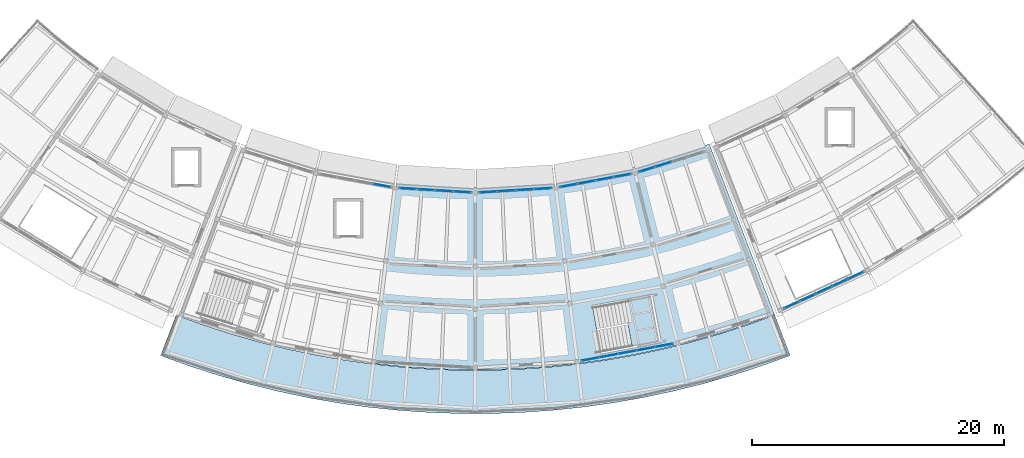
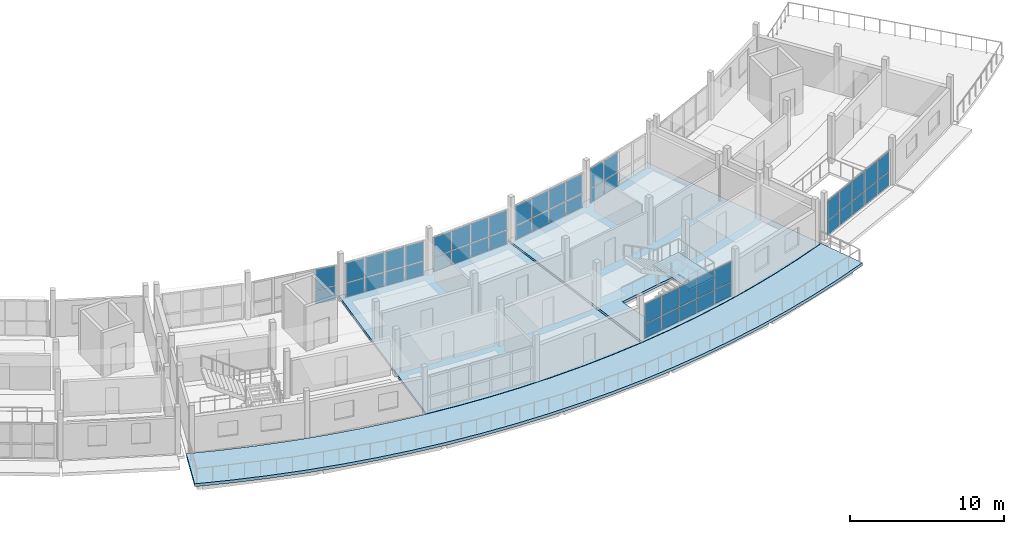
# One storey, part 15 of 24: 50 plates, 4 slabs, 8 elements without a shape of their own.
"""IFC4 building model written with IfcOpenShell, lengths in metres."""

from ifc_helpers import new_model, si_unit, direction, frame, origin, origin_2d, place, context, subcontext, project, spatial, polyline, rectangle, outline, extrude, material, layer, layer_set, type_object, element, aggregate, save


model = new_model("IFC4")

# Units and contexts
model_context = context("Model", 3, precision=1e-05, world=origin(), true_north=direction((0.0, 1.0)))
body_context = subcontext(model_context, "Body", "Model", "MODEL_VIEW")
ifc_project = project(units=[si_unit("LENGTHUNIT", "METRE"), si_unit("AREAUNIT", "SQUARE_METRE"), si_unit("VOLUMEUNIT", "CUBIC_METRE"), si_unit("PLANEANGLEUNIT", "RADIAN"), si_unit("MASSUNIT", "GRAM", prefix="KILO")], contexts=[model_context])

# Site, building, storey
site_placement = place(None, origin())
site = spatial("IfcSite", under=ifc_project, at=site_placement, CompositionType="ELEMENT")
building_placement = place(site_placement, origin())
building = spatial("IfcBuilding", under=site, at=building_placement, Name="Caldaven Crescent School", CompositionType="ELEMENT")
storey_placement = place(building_placement, frame((0.0, 0.0, 15.639892578125)))
storey = spatial("IfcBuildingStorey", under=building, at=storey_placement, Name="L04", CompositionType="ELEMENT", Elevation=15.639892578125)

# Curtain wall, plates
ifc_material_1 = material(Name="Anodised aluminium AA 6063-T6 and low-E double glazing", Category="aluminium")
ifc_layer_1 = layer(ifc_material_1, 0.22998046875)
ifc_layer_set_1 = layer_set([ifc_layer_1], Name="Anodised aluminium AA 6063-T6 and low-E double glazing")
curtain_wall_type_1 = type_object("IfcCurtainWallType", Name="CW-SYS4", PredefinedType="NOTDEFINED", material=ifc_layer_set_1)
curtain_wall_1_placement = place(storey_placement, origin())
curtain_wall_1 = element("IfcCurtainWall", 1, at=curtain_wall_1_placement, inside=storey, type_object=curtain_wall_type_1, Name="CW-L04-170", PredefinedType="NOTDEFINED")
ifc_material_2 = material(Name="Tempered low-E double glazing IGU", Category="glass")
ifc_layer_2 = layer(ifc_material_2, 0.030029296875)
ifc_layer_set_2 = layer_set([ifc_layer_2], Name="Tempered low-E double glazing IGU")
plate_type_1 = type_object("IfcPlateType", Name="PLT-CWP03", PredefinedType="CURTAIN_PANEL", material=ifc_layer_set_2)
plate_1_placement = place(storey_placement, frame((80.583740234375, 44.130859375, 0.06005859375), z_axis=(0.0, 0.0, 1.0), x_axis=(0.983254744401, -0.182236405836, 0.0)))
plate_1 = element("IfcPlate", 2, at=plate_1_placement, type_object=plate_type_1, Name="CW4 panel 4.1", PredefinedType="CURTAIN_PANEL", context=body_context, shape_type="SweptSolid", body=[
    extrude(rectangle(XDim=1.353515625, YDim=0.030029296875, at=origin_2d()), origin(), (0.0, 0.0, 1.0), 1.093994140625),
])
plate_2_placement = place(storey_placement, frame((80.583740234375, 44.130859375, 1.214111328125), z_axis=(0.0, 0.0, 1.0), x_axis=(0.983254744401, -0.182236405836, 0.0)))
plate_2 = element("IfcPlate", 3, at=plate_2_placement, type_object=plate_type_1, Name="CW4 panel 4.2", PredefinedType="CURTAIN_PANEL", context=body_context, shape_type="SweptSolid", body=[
    extrude(rectangle(XDim=1.353515625, YDim=0.030029296875, at=origin_2d()), origin(), (0.0, 0.0, 1.0), 1.5458984375),
])
aggregate(curtain_wall_1, [plate_1, plate_2])

ifc_layer_3 = layer(ifc_material_1, 0.169921875)
ifc_layer_set_3 = layer_set([ifc_layer_3], Name="Anodised aluminium AA 6063-T6 and low-E double glazing")
curtain_wall_type_2 = type_object("IfcCurtainWallType", Name="CW-SYS1", PredefinedType="NOTDEFINED", material=ifc_layer_set_3)
curtain_wall_2_placement = place(storey_placement, origin())
curtain_wall_2 = element("IfcCurtainWall", 4, at=curtain_wall_2_placement, inside=storey, type_object=curtain_wall_type_2, Name="CW-L04-171", PredefinedType="NOTDEFINED")
ifc_layer_4 = layer(ifc_material_2, 0.031982421875)
ifc_layer_set_4 = layer_set([ifc_layer_4], Name="Tempered low-E double glazing IGU")
plate_type_2 = type_object("IfcPlateType", Name="PLT-CWP04", PredefinedType="CURTAIN_PANEL", material=ifc_layer_set_4)
plate_3_placement = place(storey_placement, frame((82.64892578125, 43.877197265625, 0.065185546875), z_axis=(0.0, 0.0, 1.0), x_axis=(0.998134750717, -0.061049319496, 0.0)))
plate_3 = element("IfcPlate", 5, at=plate_3_placement, type_object=plate_type_2, Name="CW1 panel 1.1", PredefinedType="CURTAIN_PANEL", context=body_context, shape_type="SweptSolid", body=[
    extrude(rectangle(XDim=1.345947265625, YDim=0.031982421875, at=origin_2d()), origin(), (0.0, 0.0, 1.0), 1.08642578125),
])
plate_4_placement = place(storey_placement, frame((82.64892578125, 43.877197265625, 1.216552734375), z_axis=(0.0, 0.0, 1.0), x_axis=(0.998134750717, -0.061049319496, 0.0)))
plate_4 = element("IfcPlate", 6, at=plate_4_placement, type_object=plate_type_2, Name="CW1 panel 1.2", PredefinedType="CURTAIN_PANEL", context=body_context, shape_type="SweptSolid", body=[
    extrude(rectangle(XDim=1.345947265625, YDim=0.031982421875, at=origin_2d()), origin(), (0.0, 0.0, 1.0), 1.53857421875),
])
plate_5_placement = place(storey_placement, frame((84.079833984375, 43.789794921875, 0.065185546875), z_axis=(0.0, 0.0, 1.0), x_axis=(0.998134750717, -0.061049319496, 0.0)))
plate_5 = element("IfcPlate", 7, at=plate_5_placement, type_object=plate_type_2, Name="CW1 panel 2.1", PredefinedType="CURTAIN_PANEL", context=body_context, shape_type="SweptSolid", body=[
    extrude(rectangle(XDim=1.381103515625, YDim=0.031982421875, at=origin_2d()), origin(), (0.0, 0.0, 1.0), 1.08642578125),
])
plate_6_placement = place(storey_placement, frame((84.079833984375, 43.789794921875, 1.216552734375), z_axis=(0.0, 0.0, 1.0), x_axis=(0.998134750717, -0.061049319496, 0.0)))
plate_6 = element("IfcPlate", 8, at=plate_6_placement, type_object=plate_type_2, Name="CW1 panel 2.2", PredefinedType="CURTAIN_PANEL", context=body_context, shape_type="SweptSolid", body=[
    extrude(rectangle(XDim=1.381103515625, YDim=0.031982421875, at=origin_2d()), origin(), (0.0, 0.0, 1.0), 1.53857421875),
])
plate_7_placement = place(storey_placement, frame((85.528076171875, 43.701171875, 0.065185546875), z_axis=(0.0, 0.0, 1.0), x_axis=(0.998134750717, -0.061049319496, 0.0)))
plate_7 = element("IfcPlate", 9, at=plate_7_placement, type_object=plate_type_2, Name="CW1 panel 3.1", PredefinedType="CURTAIN_PANEL", context=body_context, shape_type="SweptSolid", body=[
    extrude(rectangle(XDim=1.381103515625, YDim=0.031982421875, at=origin_2d()), origin(), (0.0, 0.0, 1.0), 1.08642578125),
])
plate_8_placement = place(storey_placement, frame((85.528076171875, 43.701171875, 1.216552734375), z_axis=(0.0, 0.0, 1.0), x_axis=(0.998134750717, -0.061049319496, 0.0)))
plate_8 = element("IfcPlate", 10, at=plate_8_placement, type_object=plate_type_2, Name="CW1 panel 3.2", PredefinedType="CURTAIN_PANEL", context=body_context, shape_type="SweptSolid", body=[
    extrude(rectangle(XDim=1.381103515625, YDim=0.031982421875, at=origin_2d()), origin(), (0.0, 0.0, 1.0), 1.53857421875),
])
plate_9_placement = place(storey_placement, frame((86.958984375, 43.61376953125, 0.065185546875), z_axis=(0.0, 0.0, 1.0), x_axis=(0.998134750717, -0.061049319496, 0.0)))
plate_9 = element("IfcPlate", 11, at=plate_9_placement, type_object=plate_type_2, Name="CW1 panel 4.1", PredefinedType="CURTAIN_PANEL", context=body_context, shape_type="SweptSolid", body=[
    extrude(rectangle(XDim=1.345947265625, YDim=0.031982421875, at=origin_2d()), origin(), (0.0, 0.0, 1.0), 1.08642578125),
])
plate_10_placement = place(storey_placement, frame((86.958984375, 43.61376953125, 1.216552734375), z_axis=(0.0, 0.0, 1.0), x_axis=(0.998134750717, -0.061049319496, 0.0)))
plate_10 = element("IfcPlate", 12, at=plate_10_placement, type_object=plate_type_2, Name="CW1 panel 4.2", PredefinedType="CURTAIN_PANEL", context=body_context, shape_type="SweptSolid", body=[
    extrude(rectangle(XDim=1.345947265625, YDim=0.031982421875, at=origin_2d()), origin(), (0.0, 0.0, 1.0), 1.53857421875),
])
aggregate(curtain_wall_2, [plate_3, plate_4, plate_5, plate_6, plate_7, plate_8, plate_9, plate_10])

ifc_layer_5 = layer(ifc_material_1, 0.18994140625)
ifc_layer_set_5 = layer_set([ifc_layer_5], Name="Anodised aluminium AA 6063-T6 and low-E double glazing")
curtain_wall_type_3 = type_object("IfcCurtainWallType", Name="CW-SYS2", PredefinedType="NOTDEFINED", material=ifc_layer_set_5)
curtain_wall_3_placement = place(storey_placement, origin())
curtain_wall_3 = element("IfcCurtainWall", 13, at=curtain_wall_3_placement, inside=storey, type_object=curtain_wall_type_3, Name="CW-L04-173", PredefinedType="NOTDEFINED")
ifc_layer_6 = layer(ifc_material_2, 0.035888671875)
ifc_layer_set_6 = layer_set([ifc_layer_6], Name="Tempered low-E double glazing IGU")
plate_type_3 = type_object("IfcPlateType", Name="PLT-CWP06", PredefinedType="CURTAIN_PANEL", material=ifc_layer_set_6)
plate_11_placement = place(storey_placement, frame((89.03857421875, 43.613525390625, 0.065185546875), z_axis=(0.0, 0.0, 1.0), x_axis=(0.998134750717, 0.061049319496, 0.0)))
plate_11 = element("IfcPlate", 14, at=plate_11_placement, type_object=plate_type_3, Name="CW2 panel 1.1", PredefinedType="CURTAIN_PANEL", context=body_context, shape_type="SweptSolid", body=[
    extrude(rectangle(XDim=1.361083984375, YDim=0.035888671875, at=origin_2d()), origin(), (0.0, 0.0, 1.0), 1.08642578125),
])
plate_12_placement = place(storey_placement, frame((89.03857421875, 43.613525390625, 1.216552734375), z_axis=(0.0, 0.0, 1.0), x_axis=(0.998134750717, 0.061049319496, 0.0)))
plate_12 = element("IfcPlate", 15, at=plate_12_placement, type_object=plate_type_3, Name="CW2 panel 1.2", PredefinedType="CURTAIN_PANEL", context=body_context, shape_type="SweptSolid", body=[
    extrude(rectangle(XDim=1.361083984375, YDim=0.035888671875, at=origin_2d()), origin(), (0.0, 0.0, 1.0), 1.53857421875),
])
plate_13_placement = place(storey_placement, frame((90.471923828125, 43.701171875, 0.065185546875), z_axis=(0.0, 0.0, 1.0), x_axis=(0.998134750717, 0.061049319496, 0.0)))
plate_13 = element("IfcPlate", 16, at=plate_13_placement, type_object=plate_type_3, Name="CW2 panel 2.1", PredefinedType="CURTAIN_PANEL", context=body_context, shape_type="SweptSolid", body=[
    extrude(rectangle(XDim=1.39111328125, YDim=0.035888671875, at=origin_2d()), origin(), (0.0, 0.0, 1.0), 1.08642578125),
])
plate_14_placement = place(storey_placement, frame((90.471923828125, 43.701171875, 1.216552734375), z_axis=(0.0, 0.0, 1.0), x_axis=(0.998134750717, 0.061049319496, 0.0)))
plate_14 = element("IfcPlate", 17, at=plate_14_placement, type_object=plate_type_3, Name="CW2 panel 2.2", PredefinedType="CURTAIN_PANEL", context=body_context, shape_type="SweptSolid", body=[
    extrude(rectangle(XDim=1.39111328125, YDim=0.035888671875, at=origin_2d()), origin(), (0.0, 0.0, 1.0), 1.53857421875),
])
plate_15_placement = place(storey_placement, frame((91.920166015625, 43.789794921875, 0.065185546875), z_axis=(0.0, 0.0, 1.0), x_axis=(0.998134750717, 0.061049319496, 0.0)))
plate_15 = element("IfcPlate", 18, at=plate_15_placement, type_object=plate_type_3, Name="CW2 panel 3.1", PredefinedType="CURTAIN_PANEL", context=body_context, shape_type="SweptSolid", body=[
    extrude(rectangle(XDim=1.39111328125, YDim=0.035888671875, at=origin_2d()), origin(), (0.0, 0.0, 1.0), 1.08642578125),
])
plate_16_placement = place(storey_placement, frame((91.920166015625, 43.789794921875, 1.216552734375), z_axis=(0.0, 0.0, 1.0), x_axis=(0.998134750717, 0.061049319496, 0.0)))
plate_16 = element("IfcPlate", 19, at=plate_16_placement, type_object=plate_type_3, Name="CW2 panel 3.2", PredefinedType="CURTAIN_PANEL", context=body_context, shape_type="SweptSolid", body=[
    extrude(rectangle(XDim=1.39111328125, YDim=0.035888671875, at=origin_2d()), origin(), (0.0, 0.0, 1.0), 1.53857421875),
])
plate_17_placement = place(storey_placement, frame((93.353515625, 43.87744140625, 0.065185546875), z_axis=(0.0, 0.0, 1.0), x_axis=(0.998134750717, 0.061049319496, 0.0)))
plate_17 = element("IfcPlate", 20, at=plate_17_placement, type_object=plate_type_3, Name="CW2 panel 4.1", PredefinedType="CURTAIN_PANEL", context=body_context, shape_type="SweptSolid", body=[
    extrude(rectangle(XDim=1.361083984375, YDim=0.035888671875, at=origin_2d()), origin(), (0.0, 0.0, 1.0), 1.08642578125),
])
plate_18_placement = place(storey_placement, frame((93.353515625, 43.87744140625, 1.216552734375), z_axis=(0.0, 0.0, 1.0), x_axis=(0.998134750717, 0.061049319496, 0.0)))
plate_18 = element("IfcPlate", 21, at=plate_18_placement, type_object=plate_type_3, Name="CW2 panel 4.2", PredefinedType="CURTAIN_PANEL", context=body_context, shape_type="SweptSolid", body=[
    extrude(rectangle(XDim=1.361083984375, YDim=0.035888671875, at=origin_2d()), origin(), (0.0, 0.0, 1.0), 1.53857421875),
])
aggregate(curtain_wall_3, [plate_11, plate_12, plate_13, plate_14, plate_15, plate_16, plate_17, plate_18])

ifc_layer_7 = layer(ifc_material_1, 0.2099609375)
ifc_layer_set_7 = layer_set([ifc_layer_7], Name="Anodised aluminium AA 6063-T6 and low-E double glazing")
curtain_wall_type_4 = type_object("IfcCurtainWallType", Name="CW-SYS3", PredefinedType="NOTDEFINED", material=ifc_layer_set_7)
curtain_wall_4_placement = place(storey_placement, origin())
curtain_wall_4 = element("IfcCurtainWall", 22, at=curtain_wall_4_placement, inside=storey, type_object=curtain_wall_type_4, Name="CW-L04-174", PredefinedType="NOTDEFINED")
ifc_layer_8 = layer(ifc_material_2, 0.0380859375)
ifc_layer_set_8 = layer_set([ifc_layer_8], Name="Tempered low-E double glazing IGU")
plate_type_4 = type_object("IfcPlateType", Name="PLT-CWP07", PredefinedType="CURTAIN_PANEL", material=ifc_layer_set_8)
plate_19_placement = place(storey_placement, frame((95.416259765625, 44.130859375, 0.070068359375), z_axis=(0.0, 0.0, 1.0), x_axis=(0.983254744401, 0.182236405836, 0.0)))
plate_19 = element("IfcPlate", 23, at=plate_19_placement, type_object=plate_type_4, Name="CW3 panel 1.1", PredefinedType="CURTAIN_PANEL", context=body_context, shape_type="SweptSolid", body=[
    extrude(rectangle(XDim=1.353515625, YDim=0.0380859375, at=origin_2d()), origin(), (0.0, 0.0, 1.0), 1.0791015625),
])
plate_20_placement = place(storey_placement, frame((95.416259765625, 44.130859375, 1.21923828125), z_axis=(0.0, 0.0, 1.0), x_axis=(0.983254744401, 0.182236405836, 0.0)))
plate_20 = element("IfcPlate", 24, at=plate_20_placement, type_object=plate_type_4, Name="CW3 panel 1.2", PredefinedType="CURTAIN_PANEL", context=body_context, shape_type="SweptSolid", body=[
    extrude(rectangle(XDim=1.353515625, YDim=0.0380859375, at=origin_2d()), origin(), (0.0, 0.0, 1.0), 1.531005859375),
])
plate_21_placement = place(storey_placement, frame((96.8271484375, 44.392333984375, 0.070068359375), z_axis=(0.0, 0.0, 1.0), x_axis=(0.983254744401, 0.182236405836, 0.0)))
plate_21 = element("IfcPlate", 25, at=plate_21_placement, type_object=plate_type_4, Name="CW3 panel 2.1", PredefinedType="CURTAIN_PANEL", context=body_context, shape_type="SweptSolid", body=[
    extrude(rectangle(XDim=1.385986328125, YDim=0.0380859375, at=origin_2d()), origin(), (0.0, 0.0, 1.0), 1.0791015625),
])
plate_22_placement = place(storey_placement, frame((96.8271484375, 44.392333984375, 1.21923828125), z_axis=(0.0, 0.0, 1.0), x_axis=(0.983254744401, 0.182236405836, 0.0)))
plate_22 = element("IfcPlate", 26, at=plate_22_placement, type_object=plate_type_4, Name="CW3 panel 2.2", PredefinedType="CURTAIN_PANEL", context=body_context, shape_type="SweptSolid", body=[
    extrude(rectangle(XDim=1.385986328125, YDim=0.0380859375, at=origin_2d()), origin(), (0.0, 0.0, 1.0), 1.531005859375),
])
plate_23_placement = place(storey_placement, frame((98.253662109375, 44.65673828125, 0.070068359375), z_axis=(0.0, 0.0, 1.0), x_axis=(0.983254744401, 0.182236405836, 0.0)))
plate_23 = element("IfcPlate", 27, at=plate_23_placement, type_object=plate_type_4, Name="CW3 panel 3.1", PredefinedType="CURTAIN_PANEL", context=body_context, shape_type="SweptSolid", body=[
    extrude(rectangle(XDim=1.385986328125, YDim=0.0380859375, at=origin_2d()), origin(), (0.0, 0.0, 1.0), 1.0791015625),
])
plate_24_placement = place(storey_placement, frame((98.253662109375, 44.65673828125, 1.21923828125), z_axis=(0.0, 0.0, 1.0), x_axis=(0.983254744401, 0.182236405836, 0.0)))
plate_24 = element("IfcPlate", 28, at=plate_24_placement, type_object=plate_type_4, Name="CW3 panel 3.2", PredefinedType="CURTAIN_PANEL", context=body_context, shape_type="SweptSolid", body=[
    extrude(rectangle(XDim=1.385986328125, YDim=0.0380859375, at=origin_2d()), origin(), (0.0, 0.0, 1.0), 1.531005859375),
])
plate_25_placement = place(storey_placement, frame((99.66455078125, 44.918212890625, 0.070068359375), z_axis=(0.0, 0.0, 1.0), x_axis=(0.983254744401, 0.182236405836, 0.0)))
plate_25 = element("IfcPlate", 29, at=plate_25_placement, type_object=plate_type_4, Name="CW3 panel 4.1", PredefinedType="CURTAIN_PANEL", context=body_context, shape_type="SweptSolid", body=[
    extrude(rectangle(XDim=1.353515625, YDim=0.0380859375, at=origin_2d()), origin(), (0.0, 0.0, 1.0), 1.0791015625),
])
plate_26_placement = place(storey_placement, frame((99.66455078125, 44.918212890625, 1.21923828125), z_axis=(0.0, 0.0, 1.0), x_axis=(0.983254744401, 0.182236405836, 0.0)))
plate_26 = element("IfcPlate", 30, at=plate_26_placement, type_object=plate_type_4, Name="CW3 panel 4.2", PredefinedType="CURTAIN_PANEL", context=body_context, shape_type="SweptSolid", body=[
    extrude(rectangle(XDim=1.353515625, YDim=0.0380859375, at=origin_2d()), origin(), (0.0, 0.0, 1.0), 1.531005859375),
])
aggregate(curtain_wall_4, [plate_19, plate_20, plate_21, plate_22, plate_23, plate_24, plate_25, plate_26])

curtain_wall_5_placement = place(storey_placement, origin())
curtain_wall_5 = element("IfcCurtainWall", 31, at=curtain_wall_5_placement, inside=storey, type_object=curtain_wall_type_2, Name="CW-L04-175", PredefinedType="NOTDEFINED")
ifc_layer_9 = layer(ifc_material_2, 0.0400390625)
ifc_layer_set_9 = layer_set([ifc_layer_9], Name="Tempered low-E double glazing IGU")
plate_type_5 = type_object("IfcPlateType", Name="PLT-CWP08", PredefinedType="CURTAIN_PANEL", material=ifc_layer_set_9)
plate_27_placement = place(storey_placement, frame((97.13330078125, 30.338623046875, 0.06005859375), z_axis=(0.0, 0.0, 1.0), x_axis=(0.983254756739, 0.182236339268, 0.0)))
plate_27 = element("IfcPlate", 32, at=plate_27_placement, type_object=plate_type_5, Name="CW1 panel 1.1", PredefinedType="CURTAIN_PANEL", context=body_context, shape_type="SweptSolid", body=[
    extrude(rectangle(XDim=1.41015625, YDim=0.0400390625, at=origin_2d()), origin(), (0.0, 0.0, 1.0), 1.093994140625),
])
plate_28_placement = place(storey_placement, frame((97.13330078125, 30.338623046875, 1.214111328125), z_axis=(0.0, 0.0, 1.0), x_axis=(0.983254756739, 0.182236339268, 0.0)))
plate_28 = element("IfcPlate", 33, at=plate_28_placement, type_object=plate_type_5, Name="CW1 panel 1.2", PredefinedType="CURTAIN_PANEL", context=body_context, shape_type="SweptSolid", body=[
    extrude(rectangle(XDim=1.41015625, YDim=0.0400390625, at=origin_2d()), origin(), (0.0, 0.0, 1.0), 1.5458984375),
])
plate_29_placement = place(storey_placement, frame((98.59375, 30.609375, 0.06005859375), z_axis=(0.0, 0.0, 1.0), x_axis=(0.983254756739, 0.182236339268, 0.0)))
plate_29 = element("IfcPlate", 34, at=plate_29_placement, type_object=plate_type_5, Name="CW1 panel 2.1", PredefinedType="CURTAIN_PANEL", context=body_context, shape_type="SweptSolid", body=[
    extrude(rectangle(XDim=1.440185546875, YDim=0.0400390625, at=origin_2d()), origin(), (0.0, 0.0, 1.0), 1.093994140625),
])
plate_30_placement = place(storey_placement, frame((98.59375, 30.609375, 1.214111328125), z_axis=(0.0, 0.0, 1.0), x_axis=(0.983254756739, 0.182236339268, 0.0)))
plate_30 = element("IfcPlate", 35, at=plate_30_placement, type_object=plate_type_5, Name="CW1 panel 2.2", PredefinedType="CURTAIN_PANEL", context=body_context, shape_type="SweptSolid", body=[
    extrude(rectangle(XDim=1.440185546875, YDim=0.0400390625, at=origin_2d()), origin(), (0.0, 0.0, 1.0), 1.5458984375),
])
plate_31_placement = place(storey_placement, frame((100.06884765625, 30.8828125, 0.06005859375), z_axis=(0.0, 0.0, 1.0), x_axis=(0.983254756739, 0.182236339268, 0.0)))
plate_31 = element("IfcPlate", 36, at=plate_31_placement, type_object=plate_type_5, Name="CW1 panel 3.1", PredefinedType="CURTAIN_PANEL", context=body_context, shape_type="SweptSolid", body=[
    extrude(rectangle(XDim=1.440185546875, YDim=0.0400390625, at=origin_2d()), origin(), (0.0, 0.0, 1.0), 1.093994140625),
])
plate_32_placement = place(storey_placement, frame((100.06884765625, 30.8828125, 1.214111328125), z_axis=(0.0, 0.0, 1.0), x_axis=(0.983254756739, 0.182236339268, 0.0)))
plate_32 = element("IfcPlate", 37, at=plate_32_placement, type_object=plate_type_5, Name="CW1 panel 3.2", PredefinedType="CURTAIN_PANEL", context=body_context, shape_type="SweptSolid", body=[
    extrude(rectangle(XDim=1.440185546875, YDim=0.0400390625, at=origin_2d()), origin(), (0.0, 0.0, 1.0), 1.5458984375),
])
plate_33_placement = place(storey_placement, frame((101.5439453125, 31.156005859375, 0.06005859375), z_axis=(0.0, 0.0, 1.0), x_axis=(0.983254756739, 0.182236339268, 0.0)))
plate_33 = element("IfcPlate", 38, at=plate_33_placement, type_object=plate_type_5, Name="CW1 panel 4.1", PredefinedType="CURTAIN_PANEL", context=body_context, shape_type="SweptSolid", body=[
    extrude(rectangle(XDim=1.440185546875, YDim=0.0400390625, at=origin_2d()), origin(), (0.0, 0.0, 1.0), 1.093994140625),
])
plate_34_placement = place(storey_placement, frame((101.5439453125, 31.156005859375, 1.214111328125), z_axis=(0.0, 0.0, 1.0), x_axis=(0.983254756739, 0.182236339268, 0.0)))
plate_34 = element("IfcPlate", 39, at=plate_34_placement, type_object=plate_type_5, Name="CW1 panel 4.2", PredefinedType="CURTAIN_PANEL", context=body_context, shape_type="SweptSolid", body=[
    extrude(rectangle(XDim=1.440185546875, YDim=0.0400390625, at=origin_2d()), origin(), (0.0, 0.0, 1.0), 1.5458984375),
])
plate_35_placement = place(storey_placement, frame((103.004150390625, 31.4267578125, 0.06005859375), z_axis=(0.0, 0.0, 1.0), x_axis=(0.983254756739, 0.182236339268, 0.0)))
plate_35 = element("IfcPlate", 40, at=plate_35_placement, type_object=plate_type_5, Name="CW1 panel 5.1", PredefinedType="CURTAIN_PANEL", context=body_context, shape_type="SweptSolid", body=[
    extrude(rectangle(XDim=1.41015625, YDim=0.0400390625, at=origin_2d()), origin(), (0.0, 0.0, 1.0), 1.093994140625),
])
plate_36_placement = place(storey_placement, frame((103.004150390625, 31.4267578125, 1.214111328125), z_axis=(0.0, 0.0, 1.0), x_axis=(0.983254756739, 0.182236339268, 0.0)))
plate_36 = element("IfcPlate", 41, at=plate_36_placement, type_object=plate_type_5, Name="CW1 panel 5.2", PredefinedType="CURTAIN_PANEL", context=body_context, shape_type="SweptSolid", body=[
    extrude(rectangle(XDim=1.41015625, YDim=0.0400390625, at=origin_2d()), origin(), (0.0, 0.0, 1.0), 1.5458984375),
])
aggregate(curtain_wall_5, [plate_27, plate_28, plate_29, plate_30, plate_31, plate_32, plate_33, plate_34, plate_35, plate_36])

curtain_wall_6_placement = place(storey_placement, origin())
curtain_wall_6 = element("IfcCurtainWall", 42, at=curtain_wall_6_placement, inside=storey, type_object=curtain_wall_type_1, Name="CW-L04-176", PredefinedType="NOTDEFINED")
ifc_layer_10 = layer(ifc_material_2, 0.0419921875)
ifc_layer_set_10 = layer_set([ifc_layer_10], Name="Tempered low-E double glazing IGU")
plate_type_6 = type_object("IfcPlateType", Name="PLT-CWP09", PredefinedType="CURTAIN_PANEL", material=ifc_layer_set_10)
plate_37_placement = place(storey_placement, frame((101.6416015625, 45.40478515625, 0.070068359375), z_axis=(0.0, 0.0, 1.0), x_axis=(0.954746818344, 0.297419758694, 0.0)))
plate_37 = element("IfcPlate", 43, at=plate_37_placement, type_object=plate_type_6, Name="CW4 panel 1.1", PredefinedType="CURTAIN_PANEL", context=body_context, shape_type="SweptSolid", body=[
    extrude(rectangle(XDim=1.255859375, YDim=0.0419921875, at=origin_2d()), origin(), (0.0, 0.0, 1.0), 1.0791015625),
])
plate_38_placement = place(storey_placement, frame((101.6416015625, 45.40478515625, 1.21923828125), z_axis=(0.0, 0.0, 1.0), x_axis=(0.954746818344, 0.297419758694, 0.0)))
plate_38 = element("IfcPlate", 44, at=plate_38_placement, type_object=plate_type_6, Name="CW4 panel 1.2", PredefinedType="CURTAIN_PANEL", context=body_context, shape_type="SweptSolid", body=[
    extrude(rectangle(XDim=1.255859375, YDim=0.0419921875, at=origin_2d()), origin(), (0.0, 0.0, 1.0), 1.531005859375),
])
plate_39_placement = place(storey_placement, frame((102.924072265625, 45.804443359375, 0.070068359375), z_axis=(0.0, 0.0, 1.0), x_axis=(0.954746818344, 0.297419758694, 0.0)))
plate_39 = element("IfcPlate", 45, at=plate_39_placement, type_object=plate_type_6, Name="CW4 panel 2.1", PredefinedType="CURTAIN_PANEL", context=body_context, shape_type="SweptSolid", body=[
    extrude(rectangle(XDim=1.290771484375, YDim=0.0419921875, at=origin_2d()), origin(), (0.0, 0.0, 1.0), 1.0791015625),
])
plate_40_placement = place(storey_placement, frame((102.924072265625, 45.804443359375, 1.21923828125), z_axis=(0.0, 0.0, 1.0), x_axis=(0.954746818344, 0.297419758694, 0.0)))
plate_40 = element("IfcPlate", 46, at=plate_40_placement, type_object=plate_type_6, Name="CW4 panel 2.2", PredefinedType="CURTAIN_PANEL", context=body_context, shape_type="SweptSolid", body=[
    extrude(rectangle(XDim=1.290771484375, YDim=0.0419921875, at=origin_2d()), origin(), (0.0, 0.0, 1.0), 1.531005859375),
])
aggregate(curtain_wall_6, [plate_37, plate_38, plate_39, plate_40])

curtain_wall_7_placement = place(storey_placement, origin())
curtain_wall_7 = element("IfcCurtainWall", 47, at=curtain_wall_7_placement, inside=storey, type_object=curtain_wall_type_4, Name="CW-L04-178", PredefinedType="NOTDEFINED")
ifc_layer_11 = layer(ifc_material_2, 0.0458984375)
ifc_layer_set_11 = layer_set([ifc_layer_11], Name="Tempered low-E double glazing IGU")
plate_type_7 = type_object("IfcPlateType", Name="PLT-CWP11", PredefinedType="CURTAIN_PANEL", material=ifc_layer_set_11)
plate_41_placement = place(storey_placement, frame((113.132080078125, 34.649169921875, 0.065185546875), z_axis=(0.0, 0.0, 1.0), x_axis=(0.908528323078, 0.417823271449, 0.0)))
plate_41 = element("IfcPlate", 48, at=plate_41_placement, type_object=plate_type_7, Name="CW3 panel 1.1", PredefinedType="CURTAIN_PANEL", context=body_context, shape_type="SweptSolid", body=[
    extrude(rectangle(XDim=1.303955078125, YDim=0.0458984375, at=origin_2d()), origin(), (0.0, 0.0, 1.0), 1.08642578125),
])
plate_42_placement = place(storey_placement, frame((113.132080078125, 34.649169921875, 1.216552734375), z_axis=(0.0, 0.0, 1.0), x_axis=(0.908528323078, 0.417823271449, 0.0)))
plate_42 = element("IfcPlate", 49, at=plate_42_placement, type_object=plate_type_7, Name="CW3 panel 1.2", PredefinedType="CURTAIN_PANEL", context=body_context, shape_type="SweptSolid", body=[
    extrude(rectangle(XDim=1.303955078125, YDim=0.0458984375, at=origin_2d()), origin(), (0.0, 0.0, 1.0), 1.53857421875),
])
plate_43_placement = place(storey_placement, frame((114.396484375, 35.23046875, 0.065185546875), z_axis=(0.0, 0.0, 1.0), x_axis=(0.908528323078, 0.417823271449, 0.0)))
plate_43 = element("IfcPlate", 50, at=plate_43_placement, type_object=plate_type_7, Name="CW3 panel 2.1", PredefinedType="CURTAIN_PANEL", context=body_context, shape_type="SweptSolid", body=[
    extrude(rectangle(XDim=1.339111328125, YDim=0.0458984375, at=origin_2d()), origin(), (0.0, 0.0, 1.0), 1.08642578125),
])
plate_44_placement = place(storey_placement, frame((114.396484375, 35.23046875, 1.216552734375), z_axis=(0.0, 0.0, 1.0), x_axis=(0.908528323078, 0.417823271449, 0.0)))
plate_44 = element("IfcPlate", 51, at=plate_44_placement, type_object=plate_type_7, Name="CW3 panel 2.2", PredefinedType="CURTAIN_PANEL", context=body_context, shape_type="SweptSolid", body=[
    extrude(rectangle(XDim=1.339111328125, YDim=0.0458984375, at=origin_2d()), origin(), (0.0, 0.0, 1.0), 1.53857421875),
])
plate_45_placement = place(storey_placement, frame((115.676513671875, 35.8193359375, 0.065185546875), z_axis=(0.0, 0.0, 1.0), x_axis=(0.908528323078, 0.417823271449, 0.0)))
plate_45 = element("IfcPlate", 52, at=plate_45_placement, type_object=plate_type_7, Name="CW3 panel 3.1", PredefinedType="CURTAIN_PANEL", context=body_context, shape_type="SweptSolid", body=[
    extrude(rectangle(XDim=1.339111328125, YDim=0.0458984375, at=origin_2d()), origin(), (0.0, 0.0, 1.0), 1.08642578125),
])
plate_46_placement = place(storey_placement, frame((115.676513671875, 35.8193359375, 1.216552734375), z_axis=(0.0, 0.0, 1.0), x_axis=(0.908528323078, 0.417823271449, 0.0)))
plate_46 = element("IfcPlate", 53, at=plate_46_placement, type_object=plate_type_7, Name="CW3 panel 3.2", PredefinedType="CURTAIN_PANEL", context=body_context, shape_type="SweptSolid", body=[
    extrude(rectangle(XDim=1.339111328125, YDim=0.0458984375, at=origin_2d()), origin(), (0.0, 0.0, 1.0), 1.53857421875),
])
plate_47_placement = place(storey_placement, frame((116.956787109375, 36.407958984375, 0.065185546875), z_axis=(0.0, 0.0, 1.0), x_axis=(0.908528323078, 0.417823271449, 0.0)))
plate_47 = element("IfcPlate", 54, at=plate_47_placement, type_object=plate_type_7, Name="CW3 panel 4.1", PredefinedType="CURTAIN_PANEL", context=body_context, shape_type="SweptSolid", body=[
    extrude(rectangle(XDim=1.339111328125, YDim=0.0458984375, at=origin_2d()), origin(), (0.0, 0.0, 1.0), 1.08642578125),
])
plate_48_placement = place(storey_placement, frame((116.956787109375, 36.407958984375, 1.216552734375), z_axis=(0.0, 0.0, 1.0), x_axis=(0.908528323078, 0.417823271449, 0.0)))
plate_48 = element("IfcPlate", 55, at=plate_48_placement, type_object=plate_type_7, Name="CW3 panel 4.2", PredefinedType="CURTAIN_PANEL", context=body_context, shape_type="SweptSolid", body=[
    extrude(rectangle(XDim=1.339111328125, YDim=0.0458984375, at=origin_2d()), origin(), (0.0, 0.0, 1.0), 1.53857421875),
])
plate_49_placement = place(storey_placement, frame((118.220947265625, 36.989501953125, 0.065185546875), z_axis=(0.0, 0.0, 1.0), x_axis=(0.908528323078, 0.417823271449, 0.0)))
plate_49 = element("IfcPlate", 56, at=plate_49_placement, type_object=plate_type_7, Name="CW3 panel 5.1", PredefinedType="CURTAIN_PANEL", context=body_context, shape_type="SweptSolid", body=[
    extrude(rectangle(XDim=1.303955078125, YDim=0.0458984375, at=origin_2d()), origin(), (0.0, 0.0, 1.0), 1.08642578125),
])
plate_50_placement = place(storey_placement, frame((118.220947265625, 36.989501953125, 1.216552734375), z_axis=(0.0, 0.0, 1.0), x_axis=(0.908528323078, 0.417823271449, 0.0)))
plate_50 = element("IfcPlate", 57, at=plate_50_placement, type_object=plate_type_7, Name="CW3 panel 5.2", PredefinedType="CURTAIN_PANEL", context=body_context, shape_type="SweptSolid", body=[
    extrude(rectangle(XDim=1.303955078125, YDim=0.0458984375, at=origin_2d()), origin(), (0.0, 0.0, 1.0), 1.53857421875),
])
aggregate(curtain_wall_7, [plate_41, plate_42, plate_43, plate_44, plate_45, plate_46, plate_47, plate_48, plate_49, plate_50])

# Slabs
ifc_material_3 = material(Name="Cross-laminated timber CLT C24", Category="wood")
ifc_layer_12 = layer(ifc_material_3, 0.199951171875)
ifc_layer_set_12 = layer_set([ifc_layer_12], Name="Cross-laminated timber CLT C24")
slab_type_1 = type_object("IfcSlabType", Name="SLB-FS3", PredefinedType="FLOOR", material=ifc_layer_set_12)
slab_1_placement = place(storey_placement, frame((0.0, 0.0, -0.199951171875)))
element("IfcSlab", 58, at=slab_1_placement, inside=storey, type_object=slab_type_1, Name="SLB-V5-L04-B07", PredefinedType="FLOOR", context=body_context, shape_type="SweptSolid", body=[
    extrude(outline(polyline([(79.974365234375, 29.9658203125), (82.260498046875, 29.72802734375), (84.5537109375, 29.5693359375), (86.850830078125, 29.489990234375), (89.149169921875, 29.489990234375), (91.4462890625, 29.5693359375), (93.739501953125, 29.72802734375), (96.025634765625, 29.9658203125), (94.273681640625, 44.3798828125), (92.486572265625, 44.19384765625), (90.694091796875, 44.06982421875), (88.8984375, 44.0078125), (87.1015625, 44.0078125), (85.305908203125, 44.06982421875), (83.513427734375, 44.19384765625), (81.726318359375, 44.3798828125), (79.974365234375, 29.9658203125)])), origin(), (0.0, 0.0, 1.0), 0.199951171875),
])
slab_2_placement = place(storey_placement, frame((0.0, 0.0, -0.199951171875)))
element("IfcSlab", 59, at=slab_2_placement, inside=storey, type_object=slab_type_1, Name="SLB-V5-L04-B09", PredefinedType="FLOOR", context=body_context, shape_type="SweptSolid", body=[
    extrude(outline(polyline([(96.18798828125, 29.98583984375), (98.463623046875, 30.30810546875), (100.72705078125, 30.708740234375), (102.97509765625, 31.1875), (105.205322265625, 31.74365234375), (107.4150390625, 32.37646484375), (109.6015625, 33.085205078125), (111.76220703125, 33.868896484375), (106.575439453125, 47.430908203125), (104.886474609375, 46.818115234375), (103.177001953125, 46.26416015625), (101.44970703125, 45.76953125), (99.706298828125, 45.334716796875), (97.948974609375, 44.960693359375), (96.1796875, 44.6474609375), (94.400634765625, 44.3955078125), (96.18798828125, 29.98583984375)]), holes=[polyline([(98.000732421875, 30.7802734375), (97.29736328125, 34.57568359375), (102.03857421875, 35.45458984375), (102.741943359375, 31.6591796875), (98.000732421875, 30.7802734375)])]), origin(), (0.0, 0.0, 1.0), 0.199951171875),
])

# Stair, slab
ifc_material_4 = material(Name="Precast concrete C30/37", Category="concrete")
stair_type = type_object("IfcStairType", Name="STR-S6", PredefinedType="TWO_STRAIGHT_RUN_STAIR", material=ifc_material_4)
stair_placement = place(storey_placement, origin())
stair = element("IfcStair", 60, at=stair_placement, inside=storey, type_object=stair_type, Name="STAIR-ST3-L04", PredefinedType="TWO_STRAIGHT_RUN_STAIR")
ifc_material_5 = material(Name="Concrete C30/37", Category="concrete")
ifc_layer_13 = layer(ifc_material_5, 0.195068359375)
ifc_layer_set_13 = layer_set([ifc_layer_13], Name="Concrete C30/37")
slab_type_2 = type_object("IfcSlabType", Name="SLB-LND2", PredefinedType="LANDING", material=ifc_layer_set_13)
slab_3_placement = place(storey_placement, frame((0.0, 0.0, 1.675048828125)))
slab_3 = element("IfcSlab", 61, at=slab_3_placement, type_object=slab_type_2, Name="ST3-L04 landing 1", PredefinedType="LANDING", context=body_context, shape_type="SweptSolid", body=[
    extrude(outline(polyline([(100.44287109375, 31.344970703125), (102.60400390625, 31.745361328125), (101.940673828125, 35.324462890625), (99.779541015625, 34.923828125), (100.44287109375, 31.344970703125)])), origin(), (0.0, 0.0, 1.0), 0.195068359375),
])
aggregate(stair, [slab_3])

# Slab
ifc_layer_14 = layer(ifc_material_3, 0.22998046875)
ifc_layer_set_14 = layer_set([ifc_layer_14], Name="Cross-laminated timber CLT C24")
slab_type_3 = type_object("IfcSlabType", Name="SLB-TS2", PredefinedType="FLOOR", material=ifc_layer_set_14)
slab_4_placement = place(storey_placement, frame((0.0, 0.0, -0.22998046875)))
element("IfcSlab", 62, at=slab_4_placement, inside=storey, type_object=slab_type_3, Name="SLB-BT-L04-C", PredefinedType="FLOOR", context=body_context, shape_type="SweptSolid", body=[
    extrude(outline(polyline([(62.99462890625, 30.61865234375), (65.283935546875, 29.788330078125), (67.6005859375, 29.038330078125), (69.942138671875, 28.369384765625), (72.305419921875, 27.7822265625), (74.687744140625, 27.277587890625), (77.0859375, 26.85595703125), (79.49755859375, 26.518310546875), (81.91943359375, 26.2646484375), (84.348876953125, 26.09521484375), (86.782470703125, 26.010498046875), (89.217529296875, 26.010498046875), (91.651123046875, 26.09521484375), (94.08056640625, 26.2646484375), (96.50244140625, 26.518310546875), (98.9140625, 26.85595703125), (101.312255859375, 27.277587890625), (103.694580078125, 27.7822265625), (106.057861328125, 28.369384765625), (108.3994140625, 29.038330078125), (110.716064453125, 29.788330078125), (113.00537109375, 30.61865234375), (111.77294921875, 33.841064453125), (109.596435546875, 33.0517578125), (107.39404296875, 32.338623046875), (105.16796875, 31.70263671875), (102.921142578125, 31.144287109375), (100.65625, 30.66455078125), (98.3759765625, 30.263916015625), (96.083251953125, 29.942626953125), (93.78076171875, 29.70166015625), (91.47119140625, 29.54052734375), (89.157470703125, 29.4599609375), (86.842529296875, 29.4599609375), (84.52880859375, 29.54052734375), (82.21923828125, 29.70166015625), (79.916748046875, 29.942626953125), (77.6240234375, 30.263916015625), (75.34375, 30.66455078125), (73.078857421875, 31.144287109375), (70.83203125, 31.70263671875), (68.60595703125, 32.338623046875), (66.403564453125, 33.0517578125), (64.22705078125, 33.841064453125), (62.99462890625, 30.61865234375)])), origin(), (0.0, 0.0, 1.0), 0.22998046875),
])

save(model, "model.ifc")
